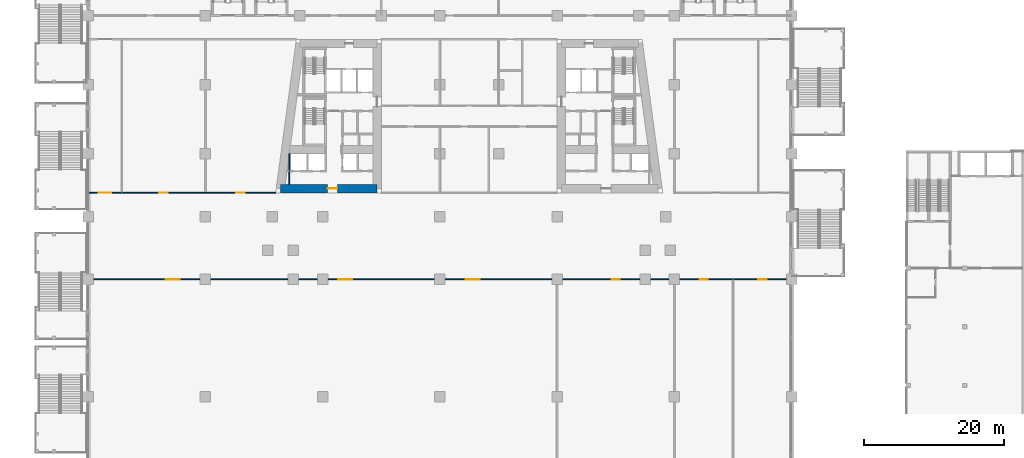
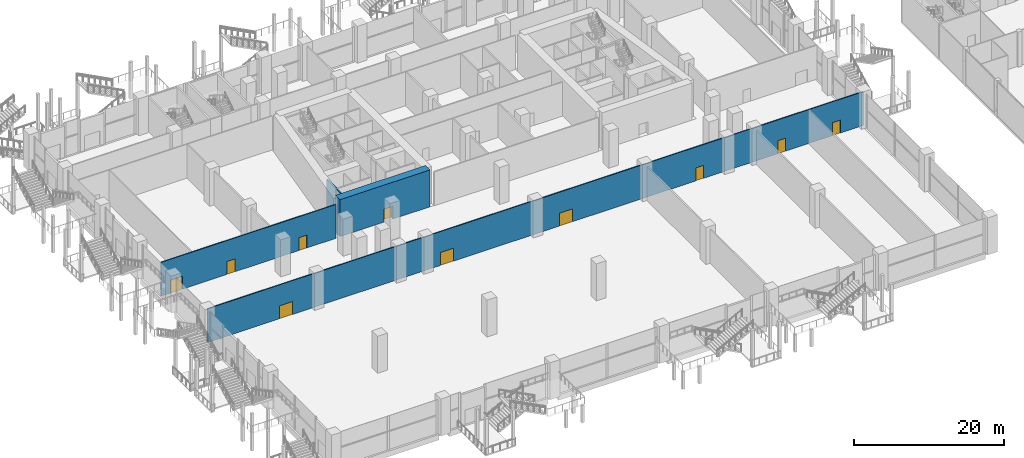
# One storey, part 22 of 49: 10 doors, 5 walls, 10 openings.
"""IFC4 building model written with IfcOpenShell, lengths in metres."""

import ifcopenshell
import ifcopenshell.guid

model = None  # the IFC model being written
_history = None  # IfcOwnerHistory: only IFC2X3 demands one
_inside = {}  # id of a spatial element -> (the spatial element, [elements in it])
_under = {}  # id of a project, library or spatial element -> (it, [spatial elements below it])
_declared = {}  # id of a project -> (the project, [libraries it declares])
_typed = {}  # id of a type object -> (the type object, [elements of that type])
_made_of = {}  # id of a material, layer set ... -> (it, [elements and type objects made of it])


def new_model(schema):
    """Start an empty IFC model of exactly this schema.

    Asked for "IFC4X3", IfcOpenShell would pick the latest addendum, in which some entities
    have other attributes; the version numbers below select the first issue.
    IFC2X3 requires an IfcOwnerHistory on every rooted entity: one is made here for all.
    """
    global model, _history
    if schema == "IFC4X3":
        model = ifcopenshell.file(schema_version=(4, 3, 0, 0))
    else:
        model = ifcopenshell.file(schema=schema)
    _inside.clear()
    _under.clear()
    _declared.clear()
    _typed.clear()
    _made_of.clear()
    _history = None
    if model.schema == "IFC2X3":
        org = make("IfcOrganization", Name="unknown")
        user = make(
            "IfcPersonAndOrganization",
            ThePerson=make("IfcPerson", FamilyName="unknown"),
            TheOrganization=org,
        )
        app = make(
            "IfcApplication",
            ApplicationDeveloper=org,
            Version="unknown",
            ApplicationFullName="unknown",
            ApplicationIdentifier="unknown",
        )
        _history = make(
            "IfcOwnerHistory",
            OwningUser=user,
            OwningApplication=app,
            ChangeAction="ADDED",
            CreationDate=0,
        )
    return model


def make(cls, **values):
    """One entity of the class cls with the attributes given. An attribute that is None is left unset."""
    return model.create_entity(
        cls, **{name: value for name, value in values.items() if value is not None}
    )


def rooted(cls, **values):
    """An entity with a GlobalId (a new one), such as an element, a storey or a relation."""
    return make(cls, GlobalId=ifcopenshell.guid.new(), OwnerHistory=_history, **values)


def si_unit(unit_type, name, prefix=None):
    """IfcSIUnit, for example si_unit("LENGTHUNIT", "METRE", prefix="MILLI")."""
    return make("IfcSIUnit", UnitType=unit_type, Prefix=prefix, Name=name)


def assignment(units):
    """IfcUnitAssignment: the units of a project."""
    return None if units is None else make("IfcUnitAssignment", Units=units)


def point(xyz):
    """IfcCartesianPoint."""
    return None if xyz is None else make("IfcCartesianPoint", Coordinates=xyz)


def direction(xyz):
    """IfcDirection."""
    return None if xyz is None else make("IfcDirection", DirectionRatios=xyz)


def frame(location, z_axis=None, x_axis=None):
    """IfcAxis2Placement3D, a coordinate frame: its origin and axes. An axis left out is left unset."""
    return make(
        "IfcAxis2Placement3D",
        Location=point(location),
        Axis=direction(z_axis),
        RefDirection=direction(x_axis),
    )


def frame_2d(location, x_axis=None):
    """IfcAxis2Placement2D, a coordinate frame in the plane: its origin and x axis."""
    return make(
        "IfcAxis2Placement2D", Location=point(location), RefDirection=direction(x_axis)
    )


def origin():
    """The frame at (0, 0, 0) with its axes left unset."""
    return frame((0.0, 0.0, 0.0))


def place(relative_to, where):
    """IfcLocalPlacement: puts the frame where relative to a parent placement (None: the world)."""
    return make(
        "IfcLocalPlacement", PlacementRelTo=relative_to, RelativePlacement=where
    )


def context(
    kind, dimensions, precision=None, world=None, true_north=None, identifier=None
):
    """IfcGeometricRepresentationContext, for example the 3D "Model" context."""
    return make(
        "IfcGeometricRepresentationContext",
        ContextIdentifier=identifier,
        ContextType=kind,
        CoordinateSpaceDimension=dimensions,
        Precision=precision,
        WorldCoordinateSystem=world,
        TrueNorth=true_north,
    )


def subcontext(parent, identifier, kind, view, scale=None):
    """IfcGeometricRepresentationSubContext, for example "Body" below "Model"."""
    return make(
        "IfcGeometricRepresentationSubContext",
        ContextIdentifier=identifier,
        ContextType=kind,
        ParentContext=parent,
        TargetScale=scale,
        TargetView=view,
    )


def project(units=None, contexts=None):
    """IfcProject with its units and contexts."""
    return rooted(
        "IfcProject",
        Name="project",
        RepresentationContexts=contexts,
        UnitsInContext=assignment(units),
    )


def spatial(cls, under=None, at=None, **own):
    """A site, building, storey or space (cls), placed at a placement, below another one or the project."""
    s = rooted(cls, ObjectPlacement=at, **own)
    if under is not None:
        _under.setdefault(under.id(), (under, []))[1].append(s)
    return s


def profile(cls, at=None, kind="AREA", **sizes):
    """A parametric profile (cls). Its sizes go by their IFC names, for example OverallWidth=200.0."""
    return make(cls, ProfileType=kind, Position=at, **sizes)


def rectangle(**sizes):
    """IfcRectangleProfileDef."""
    return profile("IfcRectangleProfileDef", **sizes)


def extrude(swept, where, along, depth):
    """IfcExtrudedAreaSolid: the profile swept, set in the frame where, extruded along a direction by depth."""
    return make(
        "IfcExtrudedAreaSolid",
        SweptArea=swept,
        Position=where,
        ExtrudedDirection=direction(along),
        Depth=depth,
    )


def shape(context_of_items, identifier, shape_type, items):
    """IfcShapeRepresentation: the items that make up one representation, for example the "Body"."""
    return make(
        "IfcShapeRepresentation",
        ContextOfItems=context_of_items,
        RepresentationIdentifier=identifier,
        RepresentationType=shape_type,
        Items=items,
    )


def material(Name=None, Category=None):
    """IfcMaterial."""
    return make("IfcMaterial", Name=Name, Category=Category)


def layer(
    of_material, thickness, ventilated=None, Name=None, Category=None, Priority=None
):
    """IfcMaterialLayer: one layer of a wall or slab, of a material (None: an air gap)."""
    return make(
        "IfcMaterialLayer",
        Material=of_material,
        LayerThickness=thickness,
        IsVentilated=ventilated,
        Name=Name,
        Category=Category,
        Priority=Priority,
    )


def layer_set(layers, Name=None):
    """IfcMaterialLayerSet."""
    return make("IfcMaterialLayerSet", MaterialLayers=layers, LayerSetName=Name)


def made_of(thing, what):
    """Note that an element or type object is made of a material, layer set ...; save() writes the relation."""
    if what is not None:
        _made_of.setdefault(what.id(), (what, []))[1].append(thing)
    return thing


def type_object(cls, material=None, **own):
    """A type object (cls), such as IfcWallType, which elements share."""
    return made_of(rooted(cls, **own), material)


def element(
    cls,
    number,
    at=None,
    inside=None,
    cuts=None,
    type_object=None,
    material=None,
    context=None,
    identifier="Body",
    shape_type=None,
    held_by="IfcProductDefinitionShape",
    body=None,
    shapes=None,
    **own,
):
    """One element of the class cls, such as IfcWall. Its Tag is "e" and its number.

    at: its placement. inside: the storey or other place that contains it. cuts: it is an
    opening in that element (IfcRelVoidsElement). A single representation is given by context,
    identifier, shape_type and body (its items); several are given by shapes. held_by: the class
    of the entity that holds the representations. save() writes the other relations.
    """
    e = rooted(cls, Tag="e%d" % number, ObjectPlacement=at, **own)
    if body is not None:
        shapes = [shape(context, identifier, shape_type, body)]
    if shapes is not None:
        e.Representation = make(held_by, Representations=shapes)
    if inside is not None:
        _inside.setdefault(inside.id(), (inside, []))[1].append(e)
    if cuts is not None:
        rooted(
            "IfcRelVoidsElement", RelatingBuildingElement=cuts, RelatedOpeningElement=e
        )
    if type_object is not None:
        _typed.setdefault(type_object.id(), (type_object, []))[1].append(e)
    return made_of(e, material)


def fill(opening, filler):
    """IfcRelFillsElement: the door or window that sits in an opening."""
    return rooted(
        "IfcRelFillsElement",
        RelatingOpeningElement=opening,
        RelatedBuildingElement=filler,
    )


def aggregate(whole, parts):
    """IfcRelAggregates: a whole, such as a stair, and the parts it consists of."""
    return rooted("IfcRelAggregates", RelatingObject=whole, RelatedObjects=parts)


def save(model, path):
    """Write the relations noted so far, then the file.

    IfcRelAggregates (storeys below a building ...), IfcRelContainedInSpatialStructure (elements
    in a storey), IfcRelDefinesByType, IfcRelAssociatesMaterial and IfcRelDeclares: one each for
    every whole, place, type object, material and project.
    """
    for whole, parts in _under.values():
        aggregate(whole, parts)
    for where, things in _inside.values():
        rooted(
            "IfcRelContainedInSpatialStructure",
            RelatedElements=things,
            RelatingStructure=where,
        )
    for kind, things in _typed.values():
        rooted("IfcRelDefinesByType", RelatedObjects=things, RelatingType=kind)
    for what, things in _made_of.values():
        rooted("IfcRelAssociatesMaterial", RelatedObjects=things, RelatingMaterial=what)
    for by, libraries in _declared.values():
        rooted("IfcRelDeclares", RelatingContext=by, RelatedDefinitions=libraries)
    model.write(path)


model = new_model("IFC4")

# Units and contexts
model_context = context("Model", 3, precision=1e-05, world=origin(), true_north=direction((0.0, 1.0)))
body_context = subcontext(model_context, "Body", "Model", "MODEL_VIEW")
ifc_project = project(units=[si_unit("LENGTHUNIT", "METRE"), si_unit("AREAUNIT", "SQUARE_METRE"), si_unit("VOLUMEUNIT", "CUBIC_METRE"), si_unit("PLANEANGLEUNIT", "RADIAN"), si_unit("MASSUNIT", "GRAM", prefix="KILO")], contexts=[model_context])

# Site, building, storey
site_placement = place(None, origin())
site = spatial("IfcSite", under=ifc_project, at=site_placement, CompositionType="ELEMENT")
building_placement = place(site_placement, origin())
building = spatial("IfcBuilding", under=site, at=building_placement, Name="Candeia Pilgrim Tower and Theatre", CompositionType="ELEMENT")
storey_placement = place(building_placement, frame((0.0, 0.0, 17.0)))
storey = spatial("IfcBuildingStorey", under=building, at=storey_placement, Name="L02", CompositionType="ELEMENT", Elevation=17.0)

# Wall, opening, door
ifc_material_1 = material(Name="Concrete C80/95", Category="concrete")
ifc_layer_1 = layer(ifc_material_1, 1.199951171875)
ifc_layer_set_1 = layer_set([ifc_layer_1], Name="Core wall 1200 C80/95")
wall_type_1 = type_object("IfcWallType", Name="Core wall 1200 C80/95", PredefinedType="SHEAR", material=ifc_layer_set_1)
wall_1_placement = place(storey_placement, frame((100.199951171875, 111.0, 0.0), z_axis=(0.0, 0.0, 1.0), x_axis=(-1.0, 0.0, 0.0)))
wall_1 = element("IfcWall", 1, at=wall_1_placement, inside=storey, type_object=wall_type_1, Name="Core wall W3", PredefinedType="SHEAR", context=body_context, shape_type="SweptSolid", body=[
    extrude(rectangle(XDim=13.844482421875, YDim=1.199951171875, at=frame_2d((6.92236328125, 0.0))), origin(), (0.0, 0.0, 1.0), 6.0),
])
opening_1_placement = place(wall_1_placement, frame((5.693603515625, 0.0, 0.0)))
opening_1 = element("IfcOpeningElement", 2, at=opening_1_placement, cuts=wall_1, Name="Opening L02-D045", PredefinedType="OPENING", context=body_context, shape_type="SweptSolid", body=[
    extrude(rectangle(XDim=1.39990234375, YDim=2.10009765625, at=frame_2d((0.699951171875, 1.050048828125))), frame((0.0, 0.60986328125, 0.0), z_axis=(0.0, -1.0, 0.0), x_axis=(1.0, 0.0, 0.0)), (0.0, 0.0, 1.0), 1.219970703125),
])
ifc_material_2 = material(Name="Steel fire door set", Category="steel")
door_type_1 = type_object("IfcDoorType", Name="D-1400-FD60", OperationType="NOTDEFINED", PredefinedType="DOOR", material=ifc_material_2)
door_1_placement = place(opening_1_placement, origin())
door_1 = element("IfcDoor", 3, at=door_1_placement, inside=storey, type_object=door_type_1, Name="Door L02-D045", OperationType="SINGLE_SWING_LEFT", OverallHeight=2.10009765625, OverallWidth=1.39990234375, PredefinedType="DOOR", context=body_context, shape_type="SweptSolid", body=[
    extrude(rectangle(XDim=1.39990234375, YDim=2.10009765625, at=frame_2d((0.699951171875, 1.050048828125))), frame((0.0, 0.02490234375, 0.0), z_axis=(0.0, -1.0, 0.0), x_axis=(1.0, 0.0, 0.0)), (0.0, 0.0, 1.0), 0.050048828125),
])
fill(opening_1, door_1)

# Wall, openings, doors
ifc_material_3 = material(Name="Gypsum board partition on steel studs", Category="steel")
ifc_layer_2 = layer(ifc_material_3, 0.14990234375)
ifc_layer_set_2 = layer_set([ifc_layer_2], Name="PW-150 lobby wall")
wall_type_2 = type_object("IfcWallType", Name="PW-150 lobby wall", PredefinedType="PARTITIONING", material=ifc_layer_set_2)
wall_2_placement = place(storey_placement, frame((58.85009765625, 98.0, 0.0), z_axis=(0.0, 0.0, 1.0), x_axis=(1.0, 0.0, 0.0)))
wall_2 = element("IfcWall", 4, at=wall_2_placement, inside=storey, type_object=wall_type_2, Name="Lobby wall L02-001", PredefinedType="PARTITIONING", context=body_context, shape_type="SweptSolid", body=[
    extrude(rectangle(XDim=100.699951171875, YDim=0.14990234375, at=frame_2d((50.35009765625, 0.0))), origin(), (0.0, 0.0, 1.0), 5.5),
])
opening_2_placement = place(wall_2_placement, frame((11.050048828125, 0.0, 0.0)))
opening_2 = element("IfcOpeningElement", 5, at=opening_2_placement, cuts=wall_2, Name="Opening L02-D001", PredefinedType="OPENING", context=body_context, shape_type="SweptSolid", body=[
    extrude(rectangle(XDim=2.0, YDim=2.10009765625, at=frame_2d((1.0, 1.050048828125))), frame((0.0, 0.0849609375, 0.0), z_axis=(0.0, -1.0, 0.0), x_axis=(1.0, 0.0, 0.0)), (0.0, 0.0, 1.0), 0.169921875),
])
opening_3_placement = place(wall_2_placement, frame((35.77490234375, 0.0, 0.0)))
opening_3 = element("IfcOpeningElement", 6, at=opening_3_placement, cuts=wall_2, Name="Opening L02-D002", PredefinedType="OPENING", context=body_context, shape_type="SweptSolid", body=[
    extrude(rectangle(XDim=2.0, YDim=2.10009765625, at=frame_2d((1.0, 1.050048828125))), frame((0.0, 0.0849609375, 0.0), z_axis=(0.0, -1.0, 0.0), x_axis=(1.0, 0.0, 0.0)), (0.0, 0.0, 1.0), 0.169921875),
])
opening_4_placement = place(wall_2_placement, frame((54.050048828125, 0.0, 0.0)))
opening_4 = element("IfcOpeningElement", 7, at=opening_4_placement, cuts=wall_2, Name="Opening L02-D003", PredefinedType="OPENING", context=body_context, shape_type="SweptSolid", body=[
    extrude(rectangle(XDim=2.0, YDim=2.10009765625, at=frame_2d((1.0, 1.050048828125))), frame((0.0, 0.0849609375, 0.0), z_axis=(0.0, -1.0, 0.0), x_axis=(1.0, 0.0, 0.0)), (0.0, 0.0, 1.0), 0.169921875),
])
opening_5_placement = place(wall_2_placement, frame((74.949951171875, 0.0, 0.0)))
opening_5 = element("IfcOpeningElement", 8, at=opening_5_placement, cuts=wall_2, Name="Opening L02-D004", PredefinedType="OPENING", context=body_context, shape_type="SweptSolid", body=[
    extrude(rectangle(XDim=1.199951171875, YDim=2.10009765625, at=frame_2d((0.60009765625, 1.050048828125))), frame((0.0, 0.0849609375, 0.0), z_axis=(0.0, -1.0, 0.0), x_axis=(1.0, 0.0, 0.0)), (0.0, 0.0, 1.0), 0.169921875),
])
opening_6_placement = place(wall_2_placement, frame((87.550048828125, 0.0, 0.0)))
opening_6 = element("IfcOpeningElement", 9, at=opening_6_placement, cuts=wall_2, Name="Opening L02-D005", PredefinedType="OPENING", context=body_context, shape_type="SweptSolid", body=[
    extrude(rectangle(XDim=1.199951171875, YDim=2.10009765625, at=frame_2d((0.60009765625, 1.050048828125))), frame((0.0, 0.0849609375, 0.0), z_axis=(0.0, -1.0, 0.0), x_axis=(1.0, 0.0, 0.0)), (0.0, 0.0, 1.0), 0.169921875),
])
opening_7_placement = place(wall_2_placement, frame((95.949951171875, 0.0, 0.0)))
opening_7 = element("IfcOpeningElement", 10, at=opening_7_placement, cuts=wall_2, Name="Opening L02-D006", PredefinedType="OPENING", context=body_context, shape_type="SweptSolid", body=[
    extrude(rectangle(XDim=1.199951171875, YDim=2.10009765625, at=frame_2d((0.60009765625, 1.050048828125))), frame((0.0, 0.0849609375, 0.0), z_axis=(0.0, -1.0, 0.0), x_axis=(1.0, 0.0, 0.0)), (0.0, 0.0, 1.0), 0.169921875),
])
door_type_2 = type_object("IfcDoorType", Name="D-1200-FD30S", OperationType="NOTDEFINED", PredefinedType="DOOR", material=ifc_material_2)
door_2_placement = place(opening_5_placement, origin())
door_2 = element("IfcDoor", 11, at=door_2_placement, inside=storey, type_object=door_type_2, Name="Door L02-D004", OperationType="SINGLE_SWING_RIGHT", OverallHeight=2.10009765625, OverallWidth=1.199951171875, PredefinedType="DOOR", context=body_context, shape_type="SweptSolid", body=[
    extrude(rectangle(XDim=1.199951171875, YDim=2.10009765625, at=frame_2d((0.60009765625, 1.050048828125))), frame((0.0, 0.02490234375, 0.0), z_axis=(0.0, -1.0, 0.0), x_axis=(1.0, 0.0, 0.0)), (0.0, 0.0, 1.0), 0.050048828125),
])
fill(opening_5, door_2)
door_3_placement = place(opening_6_placement, origin())
door_3 = element("IfcDoor", 12, at=door_3_placement, inside=storey, type_object=door_type_2, Name="Door L02-D005", OperationType="SINGLE_SWING_LEFT", OverallHeight=2.10009765625, OverallWidth=1.199951171875, PredefinedType="DOOR", context=body_context, shape_type="SweptSolid", body=[
    extrude(rectangle(XDim=1.199951171875, YDim=2.10009765625, at=frame_2d((0.60009765625, 1.050048828125))), frame((0.0, 0.02490234375, 0.0), z_axis=(0.0, -1.0, 0.0), x_axis=(1.0, 0.0, 0.0)), (0.0, 0.0, 1.0), 0.050048828125),
])
fill(opening_6, door_3)
door_4_placement = place(opening_7_placement, origin())
door_4 = element("IfcDoor", 13, at=door_4_placement, inside=storey, type_object=door_type_2, Name="Door L02-D006", OperationType="SINGLE_SWING_RIGHT", OverallHeight=2.10009765625, OverallWidth=1.199951171875, PredefinedType="DOOR", context=body_context, shape_type="SweptSolid", body=[
    extrude(rectangle(XDim=1.199951171875, YDim=2.10009765625, at=frame_2d((0.60009765625, 1.050048828125))), frame((0.0, 0.02490234375, 0.0), z_axis=(0.0, -1.0, 0.0), x_axis=(1.0, 0.0, 0.0)), (0.0, 0.0, 1.0), 0.050048828125),
])
fill(opening_7, door_4)
ifc_material_4 = material(Name="Steel exit door", Category="steel")
door_type_3 = type_object("IfcDoorType", Name="DX-2000-FD30S", OperationType="NOTDEFINED", PredefinedType="DOOR", material=ifc_material_4)
door_5_placement = place(opening_2_placement, origin())
door_5 = element("IfcDoor", 14, at=door_5_placement, inside=storey, type_object=door_type_3, Name="Door L02-D001", OperationType="SINGLE_SWING_LEFT", OverallHeight=2.10009765625, OverallWidth=2.0, PredefinedType="DOOR", context=body_context, shape_type="SweptSolid", body=[
    extrude(rectangle(XDim=2.0, YDim=2.10009765625, at=frame_2d((1.0, 1.050048828125))), frame((0.0, 0.02490234375, 0.0), z_axis=(0.0, -1.0, 0.0), x_axis=(1.0, 0.0, 0.0)), (0.0, 0.0, 1.0), 0.050048828125),
])
fill(opening_2, door_5)
door_6_placement = place(opening_3_placement, origin())
door_6 = element("IfcDoor", 15, at=door_6_placement, inside=storey, type_object=door_type_3, Name="Door L02-D002", OperationType="SINGLE_SWING_RIGHT", OverallHeight=2.10009765625, OverallWidth=2.0, PredefinedType="DOOR", context=body_context, shape_type="SweptSolid", body=[
    extrude(rectangle(XDim=2.0, YDim=2.10009765625, at=frame_2d((1.0, 1.050048828125))), frame((0.0, 0.02490234375, 0.0), z_axis=(0.0, -1.0, 0.0), x_axis=(1.0, 0.0, 0.0)), (0.0, 0.0, 1.0), 0.050048828125),
])
fill(opening_3, door_6)
door_7_placement = place(opening_4_placement, origin())
door_7 = element("IfcDoor", 16, at=door_7_placement, inside=storey, type_object=door_type_3, Name="Door L02-D003", OperationType="SINGLE_SWING_LEFT", OverallHeight=2.10009765625, OverallWidth=2.0, PredefinedType="DOOR", context=body_context, shape_type="SweptSolid", body=[
    extrude(rectangle(XDim=2.0, YDim=2.10009765625, at=frame_2d((1.0, 1.050048828125))), frame((0.0, 0.02490234375, 0.0), z_axis=(0.0, -1.0, 0.0), x_axis=(1.0, 0.0, 0.0)), (0.0, 0.0, 1.0), 0.050048828125),
])
fill(opening_4, door_7)

wall_3_placement = place(storey_placement, frame((58.85009765625, 110.39990234375, 0.0), z_axis=(0.0, 0.0, 1.0), x_axis=(1.0, 0.0, 0.0)))
wall_3 = element("IfcWall", 17, at=wall_3_placement, inside=storey, type_object=wall_type_2, Name="Lobby wall L02-002", PredefinedType="PARTITIONING", context=body_context, shape_type="SweptSolid", body=[
    extrude(rectangle(XDim=26.81884765625, YDim=0.14990234375, at=frame_2d((13.409423828125, 0.0))), origin(), (0.0, 0.0, 1.0), 5.5),
])
opening_8_placement = place(wall_3_placement, frame((10.14990234375, 0.0, 0.0)))
opening_8 = element("IfcOpeningElement", 18, at=opening_8_placement, cuts=wall_3, Name="Opening L02-D007", PredefinedType="OPENING", context=body_context, shape_type="SweptSolid", body=[
    extrude(rectangle(XDim=1.199951171875, YDim=2.10009765625, at=frame_2d((0.60009765625, 1.050048828125))), frame((0.0, 0.0849609375, 0.0), z_axis=(0.0, -1.0, 0.0), x_axis=(1.0, 0.0, 0.0)), (0.0, 0.0, 1.0), 0.169921875),
])
opening_9_placement = place(wall_3_placement, frame((21.18505859375, 0.0, 0.0)))
opening_9 = element("IfcOpeningElement", 19, at=opening_9_placement, cuts=wall_3, Name="Opening L02-D008", PredefinedType="OPENING", context=body_context, shape_type="SweptSolid", body=[
    extrude(rectangle(XDim=1.199951171875, YDim=2.10009765625, at=frame_2d((0.60009765625, 1.050048828125))), frame((0.0, 0.0849609375, 0.0), z_axis=(0.0, -1.0, 0.0), x_axis=(1.0, 0.0, 0.0)), (0.0, 0.0, 1.0), 0.169921875),
])
opening_10_placement = place(wall_3_placement, frame((1.449951171875, 0.0, 0.0)))
opening_10 = element("IfcOpeningElement", 20, at=opening_10_placement, cuts=wall_3, Name="Opening L02-D026", PredefinedType="OPENING", context=body_context, shape_type="SweptSolid", body=[
    extrude(rectangle(XDim=1.800048828125, YDim=2.10009765625, at=frame_2d((0.89990234375, 1.050048828125))), frame((0.0, 0.0849609375, 0.0), z_axis=(0.0, -1.0, 0.0), x_axis=(1.0, 0.0, 0.0)), (0.0, 0.0, 1.0), 0.169921875),
])
door_8_placement = place(opening_8_placement, origin())
door_8 = element("IfcDoor", 21, at=door_8_placement, inside=storey, type_object=door_type_2, Name="Door L02-D007", OperationType="SINGLE_SWING_LEFT", OverallHeight=2.10009765625, OverallWidth=1.199951171875, PredefinedType="DOOR", context=body_context, shape_type="SweptSolid", body=[
    extrude(rectangle(XDim=1.199951171875, YDim=2.10009765625, at=frame_2d((0.60009765625, 1.050048828125))), frame((0.0, 0.02490234375, 0.0), z_axis=(0.0, -1.0, 0.0), x_axis=(1.0, 0.0, 0.0)), (0.0, 0.0, 1.0), 0.050048828125),
])
fill(opening_8, door_8)
door_9_placement = place(opening_9_placement, origin())
door_9 = element("IfcDoor", 22, at=door_9_placement, inside=storey, type_object=door_type_2, Name="Door L02-D008", OperationType="SINGLE_SWING_RIGHT", OverallHeight=2.10009765625, OverallWidth=1.199951171875, PredefinedType="DOOR", context=body_context, shape_type="SweptSolid", body=[
    extrude(rectangle(XDim=1.199951171875, YDim=2.10009765625, at=frame_2d((0.60009765625, 1.050048828125))), frame((0.0, 0.02490234375, 0.0), z_axis=(0.0, -1.0, 0.0), x_axis=(1.0, 0.0, 0.0)), (0.0, 0.0, 1.0), 0.050048828125),
])
fill(opening_9, door_9)
door_type_4 = type_object("IfcDoorType", Name="D-1800-FD60", OperationType="NOTDEFINED", PredefinedType="DOOR", material=ifc_material_2)
door_10_placement = place(opening_10_placement, origin())
door_10 = element("IfcDoor", 23, at=door_10_placement, inside=storey, type_object=door_type_4, Name="Door L02-D026", OperationType="SINGLE_SWING_RIGHT", OverallHeight=2.10009765625, OverallWidth=1.800048828125, PredefinedType="DOOR", context=body_context, shape_type="SweptSolid", body=[
    extrude(rectangle(XDim=1.800048828125, YDim=2.10009765625, at=frame_2d((0.89990234375, 1.050048828125))), frame((0.0, 0.02490234375, 0.0), z_axis=(0.0, -1.0, 0.0), x_axis=(1.0, 0.0, 0.0)), (0.0, 0.0, 1.0), 0.050048828125),
])
fill(opening_10, door_10)

# Walls
wall_4_placement = place(storey_placement, frame((87.631103515625, 111.60009765625, 0.0), z_axis=(0.0, 0.0, 1.0), x_axis=(0.0, 1.0, 0.0)))
element("IfcWall", 24, at=wall_4_placement, inside=storey, type_object=wall_type_2, Name="Lobby wall L02-051", PredefinedType="PARTITIONING", context=body_context, shape_type="SweptSolid", body=[
    extrude(rectangle(XDim=1.7998046875, YDim=0.14990234375, at=frame_2d((0.89990234375, 0.0))), origin(), (0.0, 0.0, 1.0), 5.5),
])
ifc_material_5 = material(Name="Concrete C40/50", Category="concrete")
ifc_layer_3 = layer(ifc_material_5, 0.199951171875)
ifc_layer_set_3 = layer_set([ifc_layer_3], Name="SW-200 shaft wall")
wall_type_3 = type_object("IfcWallType", Name="SW-200 shaft wall", PredefinedType="PARTITIONING", material=ifc_layer_set_3)
wall_5_placement = place(storey_placement, frame((87.653076171875, 113.60009765625, 0.0), z_axis=(0.0, 0.0, 1.0), x_axis=(0.0, 1.0, 0.0)))
element("IfcWall", 25, at=wall_5_placement, inside=storey, type_object=wall_type_3, Name="Shaft wall L02-050", PredefinedType="PARTITIONING", context=body_context, shape_type="SweptSolid", body=[
    extrude(rectangle(XDim=2.39990234375, YDim=0.199951171875, at=frame_2d((1.199951171875, 0.0))), origin(), (0.0, 0.0, 1.0), 5.5),
])

save(model, "model.ifc")
